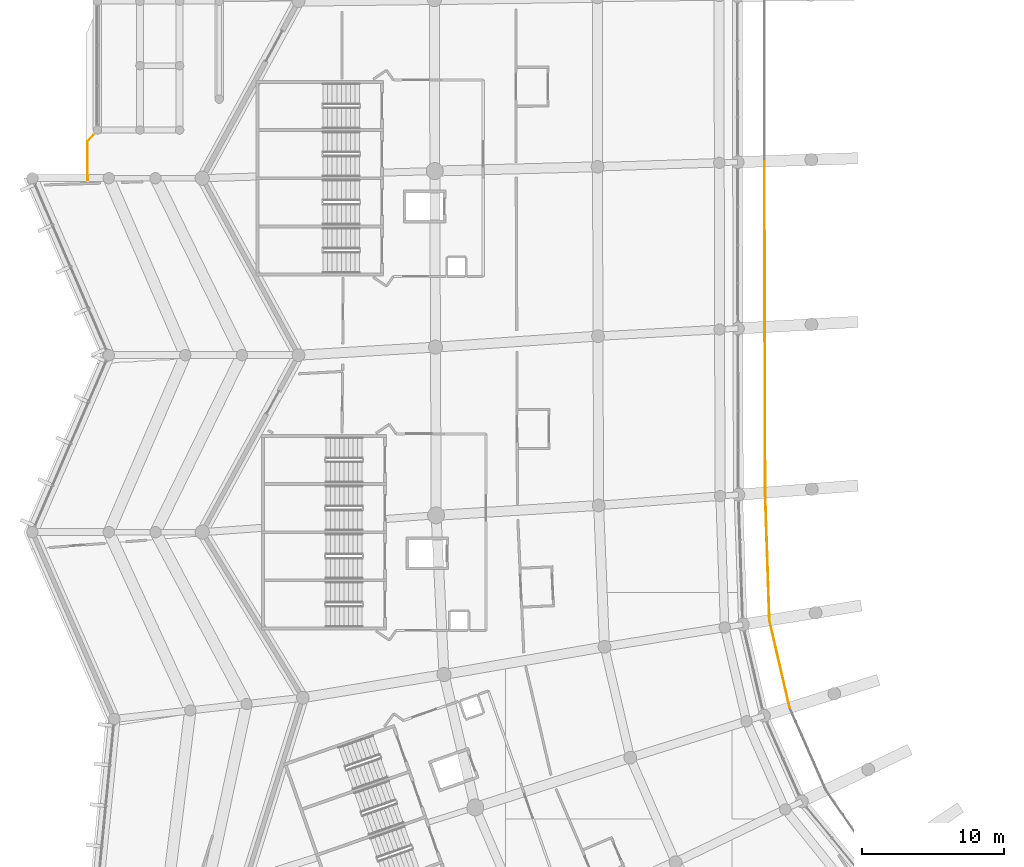
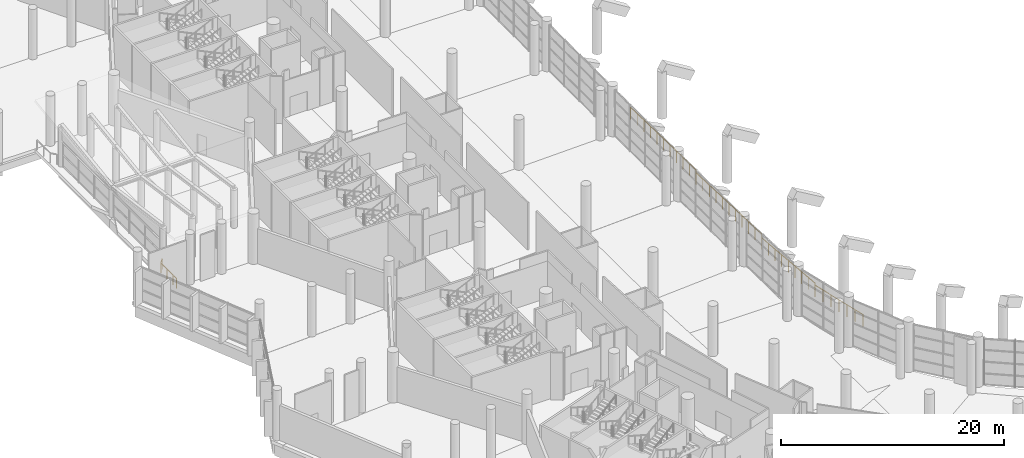
# One storey, part 233 of 271: 5 railings.
"""IFC4 building model written with IfcOpenShell, lengths in metres."""

from ifc_helpers import new_model, si_unit, direction, frame, origin, origin_2d, place, context, subcontext, project, spatial, circle, extrude, material, type_object, element, save


model = new_model("IFC4")

# Units and contexts
model_context = context("Model", 3, precision=1e-05, world=origin(), true_north=direction((0.0, 1.0)))
body_context = subcontext(model_context, "Body", "Model", "MODEL_VIEW")
ifc_project = project(units=[si_unit("LENGTHUNIT", "METRE"), si_unit("AREAUNIT", "SQUARE_METRE"), si_unit("VOLUMEUNIT", "CUBIC_METRE"), si_unit("PLANEANGLEUNIT", "RADIAN"), si_unit("MASSUNIT", "GRAM", prefix="KILO")], contexts=[model_context])

# Site, building, storey
site_placement = place(None, origin())
site = spatial("IfcSite", under=ifc_project, at=site_placement, CompositionType="ELEMENT")
building_placement = place(site_placement, origin())
building = spatial("IfcBuilding", under=site, at=building_placement, Name="Meseta Stadium", CompositionType="ELEMENT")
storey_placement = place(building_placement, frame((0.0, 0.0, 6.5)))
storey = spatial("IfcBuildingStorey", under=building, at=storey_placement, Name="L01", CompositionType="ELEMENT", Elevation=6.5)

# Railings
ifc_material_1 = material(Name="Steel S355", Category="steel")
railing_type_1 = type_object("IfcRailingType", Name="Plate edge guard 1100", PredefinedType="GUARDRAIL", material=ifc_material_1)
railing_1_placement = place(storey_placement, frame((-109.4794921875, -18.927490234375, 0.0)))
element("IfcRailing", 1, at=railing_1_placement, inside=storey, type_object=railing_type_1, Name="Gate hall edge guard 7", PredefinedType="GUARDRAIL", context=body_context, shape_type="SweptSolid", body=[
    extrude(circle(Radius=0.02490234375, at=origin_2d()), frame((0.0, 0.0, 1.0751953125), z_axis=(-0.033078814298, 0.999452746279, 0.0), x_axis=(-0.999452746279, -0.033078814298, 0.0)), (0.0, 0.0, 1.0), 0.619873046875),
    extrude(circle(Radius=0.02490234375, at=origin_2d()), frame((-0.0205078125, 0.61962890625, 1.0751953125), z_axis=(0.0, 1.0, 0.0), x_axis=(-1.0, 0.0, 0.0)), (0.0, 0.0, 1.0), 2.149169921875),
    extrude(circle(Radius=0.02490234375, at=origin_2d()), frame((-0.0205078125, 2.768798828125, 1.0751953125), z_axis=(0.664119312189, 0.747626604113, 0.0), x_axis=(-0.747626604113, 0.664119312189, 0.0)), (0.0, 0.0, 1.0), 0.619873046875),
    extrude(circle(Radius=0.02001953125, at=origin_2d()), origin(), (0.0, 0.0, 1.0), 1.050048828125),
    extrude(circle(Radius=0.02001953125, at=origin_2d()), frame((-0.0205078125, 0.61962890625, 0.0)), (0.0, 0.0, 1.0), 1.050048828125),
    extrude(circle(Radius=0.02001953125, at=origin_2d()), frame((-0.0205078125, 1.6943359375, 0.0)), (0.0, 0.0, 1.0), 1.050048828125),
    extrude(circle(Radius=0.02001953125, at=origin_2d()), frame((-0.0205078125, 2.768798828125, 0.0)), (0.0, 0.0, 1.0), 1.050048828125),
    extrude(circle(Radius=0.02001953125, at=origin_2d()), frame((0.39111328125, 3.232177734375, 0.0)), (0.0, 0.0, 1.0), 1.050048828125),
])
ifc_material_2 = material(Name="Steel S355", Category="steel")
railing_type_2 = type_object("IfcRailingType", Name="Stand rear guard 1300", PredefinedType="GUARDRAIL", material=ifc_material_2)
railing_2_placement = place(storey_placement, frame((-61.688720703125, -17.5556640625, 0.9306640625)))
element("IfcRailing", 2, at=railing_2_placement, inside=storey, type_object=railing_type_2, Name="Stand lower tier rear guard bay 35", PredefinedType="GUARDRAIL", context=body_context, shape_type="SweptSolid", body=[
    extrude(circle(Radius=0.02490234375, at=origin_2d()), frame((0.0, 0.0, 1.27490234375), z_axis=(0.001689431111, -0.999767788681, 0.021482889438), x_axis=(0.999998572251, 0.001689821095, 0.0)), (0.0, 0.0, 1.0), 11.705322265625),
    extrude(circle(Radius=0.02001953125, at=origin_2d()), origin(), (0.0, 0.0, 1.0), 1.25),
    extrude(circle(Radius=0.02001953125, at=origin_2d()), frame((0.001953125, -1.170166015625, 0.025146484375)), (0.0, 0.0, 1.0), 1.25),
    extrude(circle(Radius=0.02001953125, at=origin_2d()), frame((0.00390625, -2.340576171875, 0.05029296875)), (0.0, 0.0, 1.0), 1.25),
    extrude(circle(Radius=0.02001953125, at=origin_2d()), frame((0.005859375, -3.5107421875, 0.075439453125)), (0.0, 0.0, 1.0), 1.25),
    extrude(circle(Radius=0.02001953125, at=origin_2d()), frame((0.0078125, -4.68115234375, 0.1005859375)), (0.0, 0.0, 1.0), 1.25),
    extrude(circle(Radius=0.02001953125, at=origin_2d()), frame((0.009765625, -5.851318359375, 0.125732421875)), (0.0, 0.0, 1.0), 1.25),
    extrude(circle(Radius=0.02001953125, at=origin_2d()), frame((0.011962890625, -7.021484375, 0.15087890625)), (0.0, 0.0, 1.0), 1.25),
    extrude(circle(Radius=0.02001953125, at=origin_2d()), frame((0.013916015625, -8.19189453125, 0.176025390625)), (0.0, 0.0, 1.0), 1.25),
    extrude(circle(Radius=0.02001953125, at=origin_2d()), frame((0.015869140625, -9.362060546875, 0.201171875)), (0.0, 0.0, 1.0), 1.25),
    extrude(circle(Radius=0.02001953125, at=origin_2d()), frame((0.017822265625, -10.532470703125, 0.226318359375)), (0.0, 0.0, 1.0), 1.25),
    extrude(circle(Radius=0.02001953125, at=origin_2d()), frame((0.019775390625, -11.70263671875, 0.25146484375)), (0.0, 0.0, 1.0), 1.25),
])
railing_3_placement = place(storey_placement, frame((-61.6689453125, -29.25830078125, 0.867919921875)))
element("IfcRailing", 3, at=railing_3_placement, inside=storey, type_object=railing_type_2, Name="Stand lower tier rear guard bay 36", PredefinedType="GUARDRAIL", context=body_context, shape_type="SweptSolid", body=[
    extrude(circle(Radius=0.02490234375, at=origin_2d()), frame((0.0, 0.0, 1.27490234375), z_axis=(0.002523357505, -0.999478968055, 0.032178021735), x_axis=(0.999996813029, 0.002524664894, 0.0)), (0.0, 0.0, 1.0), 11.70703125),
    extrude(circle(Radius=0.02001953125, at=origin_2d()), origin(), (0.0, 0.0, 1.0), 1.25),
    extrude(circle(Radius=0.02001953125, at=origin_2d()), frame((0.0029296875, -1.170166015625, 0.03759765625)), (0.0, 0.0, 1.0), 1.25),
    extrude(circle(Radius=0.02001953125, at=origin_2d()), frame((0.005859375, -2.340087890625, 0.075439453125)), (0.0, 0.0, 1.0), 1.25),
    extrude(circle(Radius=0.02001953125, at=origin_2d()), frame((0.0087890625, -3.51025390625, 0.113037109375)), (0.0, 0.0, 1.0), 1.25),
    extrude(circle(Radius=0.02001953125, at=origin_2d()), frame((0.01171875, -4.680419921875, 0.150634765625)), (0.0, 0.0, 1.0), 1.25),
    extrude(circle(Radius=0.02001953125, at=origin_2d()), frame((0.0146484375, -5.8505859375, 0.1884765625)), (0.0, 0.0, 1.0), 1.25),
    extrude(circle(Radius=0.02001953125, at=origin_2d()), frame((0.017822265625, -7.0205078125, 0.22607421875)), (0.0, 0.0, 1.0), 1.25),
    extrude(circle(Radius=0.02001953125, at=origin_2d()), frame((0.020751953125, -8.190673828125, 0.263671875)), (0.0, 0.0, 1.0), 1.25),
    extrude(circle(Radius=0.02001953125, at=origin_2d()), frame((0.023681640625, -9.36083984375, 0.30126953125)), (0.0, 0.0, 1.0), 1.25),
    extrude(circle(Radius=0.02001953125, at=origin_2d()), frame((0.026611328125, -10.53076171875, 0.339111328125)), (0.0, 0.0, 1.0), 1.25),
    extrude(circle(Radius=0.02001953125, at=origin_2d()), frame((0.029541015625, -11.700927734375, 0.376708984375)), (0.0, 0.0, 1.0), 1.25),
])
railing_4_placement = place(storey_placement, frame((-61.639404296875, -40.959228515625, 0.85205078125)))
element("IfcRailing", 4, at=railing_4_placement, inside=storey, type_object=railing_type_2, Name="Stand lower tier rear guard bay 37", PredefinedType="GUARDRAIL", context=body_context, shape_type="SweptSolid", body=[
    extrude(circle(Radius=0.02490234375, at=origin_2d()), frame((0.0, 0.0, 1.27490234375), z_axis=(0.032921329146, -0.998514462974, 0.043417200723), x_axis=(0.999456922124, 0.032952402314, 0.0)), (0.0, 0.0, 1.0), 9.025146484375),
    extrude(circle(Radius=0.02001953125, at=origin_2d()), origin(), (0.0, 0.0, 1.0), 1.25),
    extrude(circle(Radius=0.02001953125, at=origin_2d()), frame((0.037109375, -1.12646484375, 0.049072265625)), (0.0, 0.0, 1.0), 1.25),
    extrude(circle(Radius=0.02001953125, at=origin_2d()), frame((0.07421875, -2.2529296875, 0.097900390625)), (0.0, 0.0, 1.0), 1.25),
    extrude(circle(Radius=0.02001953125, at=origin_2d()), frame((0.111328125, -3.37939453125, 0.14697265625)), (0.0, 0.0, 1.0), 1.25),
    extrude(circle(Radius=0.02001953125, at=origin_2d()), frame((0.1484375, -4.505859375, 0.19580078125)), (0.0, 0.0, 1.0), 1.25),
    extrude(circle(Radius=0.02001953125, at=origin_2d()), frame((0.185791015625, -5.63232421875, 0.244873046875)), (0.0, 0.0, 1.0), 1.25),
    extrude(circle(Radius=0.02001953125, at=origin_2d()), frame((0.222900390625, -6.7587890625, 0.2939453125)), (0.0, 0.0, 1.0), 1.25),
    extrude(circle(Radius=0.02001953125, at=origin_2d()), frame((0.260009765625, -7.88525390625, 0.3427734375)), (0.0, 0.0, 1.0), 1.25),
    extrude(circle(Radius=0.02001953125, at=origin_2d()), frame((0.297119140625, -9.01171875, 0.391845703125)), (0.0, 0.0, 1.0), 1.25),
])
railing_5_placement = place(storey_placement, frame((-61.34228515625, -49.970947265625, 1.023193359375)))
element("IfcRailing", 5, at=railing_5_placement, inside=storey, type_object=railing_type_2, Name="Stand lower tier rear guard bay 38", PredefinedType="GUARDRAIL", context=body_context, shape_type="SweptSolid", body=[
    extrude(circle(Radius=0.02490234375, at=origin_2d()), frame((0.0, 0.0, 1.27490234375), z_axis=(0.225891088366, -0.974150505012, 0.002002444016), x_axis=(0.974152458083, 0.225891541255, 0.0)), (0.0, 0.0, 1.0), 6.33984375),
    extrude(circle(Radius=0.02001953125, at=origin_2d()), origin(), (0.0, 0.0, 1.0), 1.25),
    extrude(circle(Radius=0.02001953125, at=origin_2d()), frame((0.23876953125, -1.029296875, 0.002197265625)), (0.0, 0.0, 1.0), 1.25),
    extrude(circle(Radius=0.02001953125, at=origin_2d()), frame((0.477294921875, -2.05859375, 0.004150390625)), (0.0, 0.0, 1.0), 1.25),
    extrude(circle(Radius=0.02001953125, at=origin_2d()), frame((0.716064453125, -3.087890625, 0.00634765625)), (0.0, 0.0, 1.0), 1.25),
    extrude(circle(Radius=0.02001953125, at=origin_2d()), frame((0.954833984375, -4.117431640625, 0.008544921875)), (0.0, 0.0, 1.0), 1.25),
    extrude(circle(Radius=0.02001953125, at=origin_2d()), frame((1.193359375, -5.146728515625, 0.010498046875)), (0.0, 0.0, 1.0), 1.25),
    extrude(circle(Radius=0.02001953125, at=origin_2d()), frame((1.43212890625, -6.176025390625, 0.0126953125)), (0.0, 0.0, 1.0), 1.25),
])

save(model, "model.ifc")
